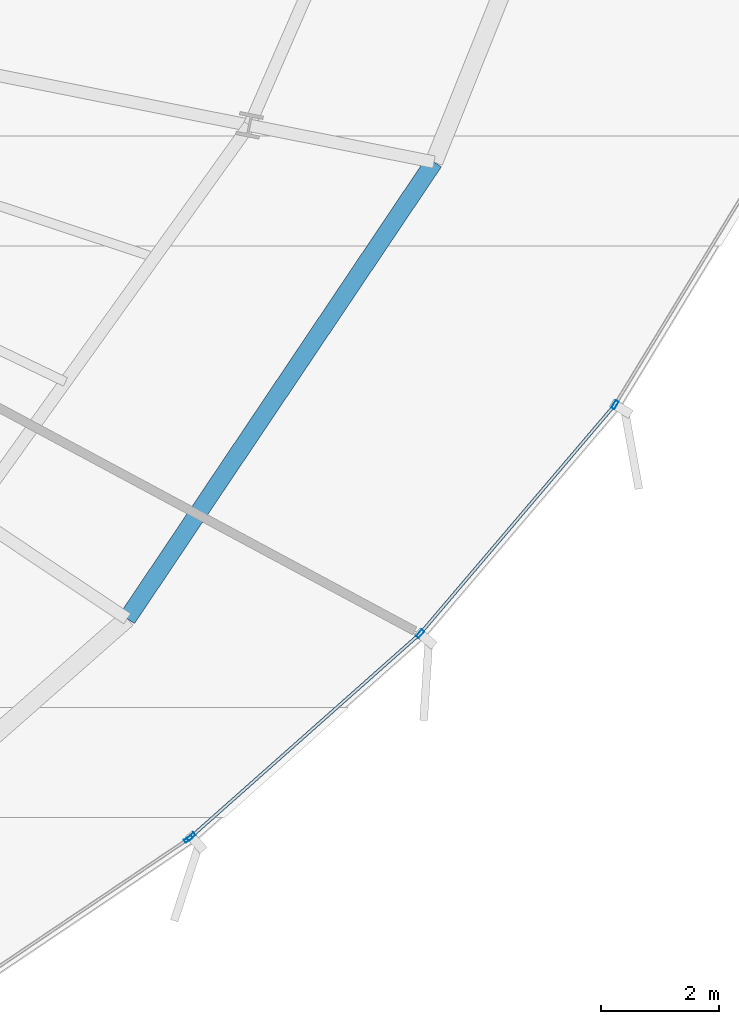
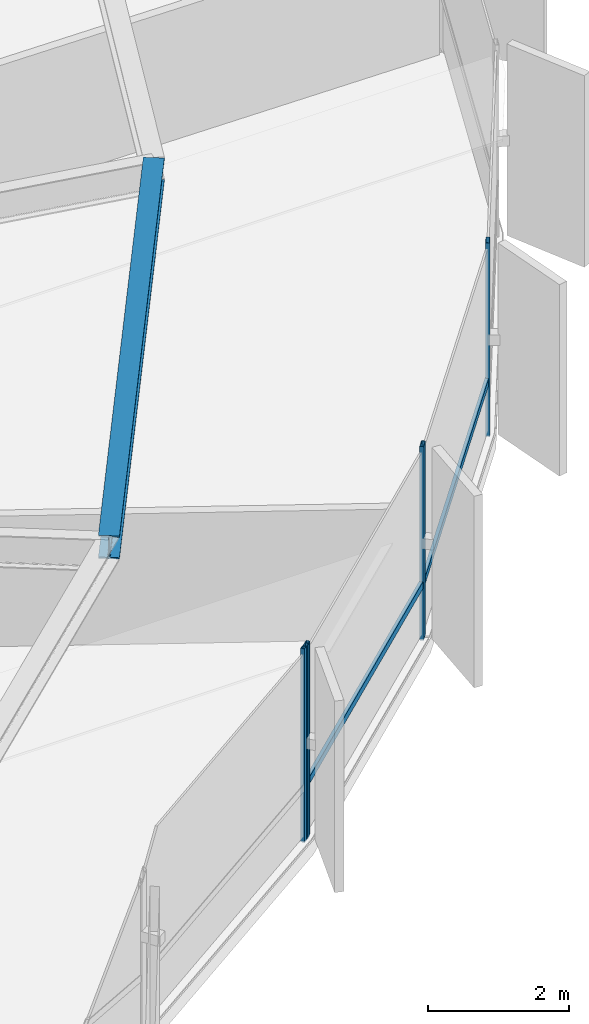
# One storey, part 13 of 35: 6 members, 1 beam, 2 elements without a shape of their own.
"""IFC4 building model written with IfcOpenShell, lengths in metres."""

from ifc_helpers import new_model, si_unit, direction, frame, origin, origin_2d, place, context, subcontext, project, spatial, hollow_rectangle, i_section, extrude, source, transform, mapped, material, layer, layer_set, material_profile, profile_set, type_object, element, aggregate, save


model = new_model("IFC4")

# Units and contexts
model_context = context("Model", 3, precision=1e-05, world=origin(), true_north=direction((0.0, 1.0)))
body_context = subcontext(model_context, "Body", "Model", "MODEL_VIEW")
ifc_project = project(units=[si_unit("LENGTHUNIT", "METRE"), si_unit("AREAUNIT", "SQUARE_METRE"), si_unit("VOLUMEUNIT", "CUBIC_METRE"), si_unit("PLANEANGLEUNIT", "RADIAN"), si_unit("MASSUNIT", "GRAM", prefix="KILO"), si_unit("THERMODYNAMICTEMPERATUREUNIT", "KELVIN")], contexts=[model_context])

# Site, building, storey
site_placement = place(None, origin())
site = spatial("IfcSite", under=ifc_project, at=site_placement, CompositionType="ELEMENT")
building_placement = place(site_placement, origin())
building = spatial("IfcBuilding", under=site, at=building_placement, Name="Kethvar Cultural Tower", CompositionType="ELEMENT")
storey_placement = place(building_placement, frame((0.0, 0.0, 92.800048828125)))
storey = spatial("IfcBuildingStorey", under=building, at=storey_placement, Name="L22", CompositionType="ELEMENT", Elevation=92.800048828125)

# Beam
ifc_material_1 = material(Name="Steel S355J2", Category="steel")
ifc_material_profile_1 = material_profile(ifc_material_1, i_section(OverallWidth=0.300048828125, OverallDepth=0.39990234375, WebThickness=0.013427734375, FlangeThickness=0.02392578125, FilletRadius=0.027099609375, at=origin_2d()), Name="Steel S355J2 — HEB400")
ifc_profile_set_1 = profile_set([ifc_material_profile_1], Name="Steel S355J2 — HEB400")
beam_type = type_object("IfcBeamType", Name="BM-SP400", PredefinedType="SPANDREL", material=ifc_profile_set_1)
shared_shape_1 = source(origin(), body_context, "Body", "SweptSolid", [
    extrude(i_section(OverallWidth=0.300048828125, OverallDepth=0.39990234375, WebThickness=0.013427734375, FlangeThickness=0.02392578125, FilletRadius=0.027099609375, at=origin_2d()), origin(), (0.0, 0.0, 1.0), 9.355224609375),
])
beam_placement = place(storey_placement, frame((65.559326171875, 15.265380859375, 3.14794921875), z_axis=(0.557731714622, 0.830021285573, 0.0), x_axis=(-0.830021285573, 0.557731714622, 0.0)))
element("IfcBeam", 1, at=beam_placement, inside=storey, type_object=beam_type, Name="L22 Perimeter Spandrel Beam SP-15", PredefinedType="SPANDREL", context=body_context, shape_type="MappedRepresentation", body=[
    mapped(shared_shape_1, transform((0.0, 0.0, 0.0), scale=1.0)),
])

# Curtain wall, member
ifc_material_2 = material(Name="Aluminium 6063-T6", Category="aluminium")
ifc_layer = layer(ifc_material_2, 0.179931640625, Name="Aluminium 6063-T6", Category="aluminium")
ifc_layer_set = layer_set([ifc_layer], Name="Aluminium 6063-T6 (180 mm)")
curtain_wall_type = type_object("IfcCurtainWallType", Name="CW-SYS-03-Z2", PredefinedType="NOTDEFINED", material=ifc_layer_set)
curtain_wall_1_placement = place(storey_placement, origin())
curtain_wall_1 = element("IfcCurtainWall", 2, at=curtain_wall_1_placement, inside=storey, type_object=curtain_wall_type, Name="L22 Curtain Wall Run 05", PredefinedType="NOTDEFINED")
ifc_material_profile_2 = material_profile(ifc_material_2, hollow_rectangle(XDim=0.06005859375, YDim=0.14990234375, WallThickness=0.0048828125, at=origin_2d()), Name="Aluminium 6063-T6 — RHS150x60x5")
ifc_profile_set_2 = profile_set([ifc_material_profile_2], Name="Aluminium 6063-T6 — RHS150x60x5")
member_type_1 = type_object("IfcMemberType", Name="CW-SYS-03-Z2-MUL", PredefinedType="MULLION", material=ifc_profile_set_2)
shared_shape_2 = source(origin(), body_context, "Body", "SweptSolid", [
    extrude(hollow_rectangle(XDim=0.06005859375, YDim=0.14990234375, WallThickness=0.0048828125, at=origin_2d()), origin(), (0.0, 0.0, 1.0), 3.349853515625),
])
member_1_placement = place(storey_placement, frame((66.60009765625, 11.521484375, 0.0), z_axis=(0.0, 0.0, 1.0), x_axis=(-0.558831114369, 0.829281487562, 0.0)))
member_1 = element("IfcMember", 3, at=member_1_placement, type_object=member_type_1, Name="CW-L22-R05 Mullion 7", PredefinedType="MULLION", context=body_context, shape_type="MappedRepresentation", body=[
    mapped(shared_shape_2, transform((0.0, 0.0, 0.0), scale=1.0)),
])
aggregate(curtain_wall_1, [member_1])

# Curtain wall, members
curtain_wall_2_placement = place(storey_placement, origin())
curtain_wall_2 = element("IfcCurtainWall", 4, at=curtain_wall_2_placement, inside=storey, type_object=curtain_wall_type, Name="L22 Curtain Wall Run 06", PredefinedType="NOTDEFINED")
member_2_placement = place(storey_placement, frame((66.649658203125, 11.559814453125, 0.0), z_axis=(0.0, 0.0, 1.0), x_axis=(-0.663573747399, 0.748110875313, 0.0)))
member_2 = element("IfcMember", 5, at=member_2_placement, type_object=member_type_1, Name="CW-L22-R06 Mullion 1", PredefinedType="MULLION", context=body_context, shape_type="MappedRepresentation", body=[
    mapped(shared_shape_2, transform((0.0, 0.0, 0.0), scale=1.0)),
])
member_3_placement = place(storey_placement, frame((70.54052734375, 15.009521484375, 0.0), z_axis=(0.0, 0.0, 1.0), x_axis=(-0.761651414199, 0.647986977684, 0.0)))
member_3 = element("IfcMember", 6, at=member_3_placement, type_object=member_type_1, Name="CW-L22-R06 Mullion 2", PredefinedType="MULLION", context=body_context, shape_type="MappedRepresentation", body=[
    mapped(shared_shape_2, transform((0.0, 0.0, 0.0), scale=1.0)),
])
member_4_placement = place(storey_placement, frame((73.854736328125, 18.90283203125, 0.0), z_axis=(0.0, 0.0, 1.0), x_axis=(-0.854068694819, 0.520160229669, 0.0)))
member_4 = element("IfcMember", 7, at=member_4_placement, type_object=member_type_1, Name="CW-L22-R06 Mullion 3", PredefinedType="MULLION", context=body_context, shape_type="MappedRepresentation", body=[
    mapped(shared_shape_2, transform((0.0, 0.0, 0.0), scale=1.0)),
])
ifc_material_profile_3 = material_profile(ifc_material_2, hollow_rectangle(XDim=0.054931640625, YDim=0.1201171875, WallThickness=0.00390625, at=origin_2d()), Name="Aluminium 6063-T6 — RHS120x55x4")
ifc_profile_set_3 = profile_set([ifc_material_profile_3], Name="Aluminium 6063-T6 — RHS120x55x4")
member_type_2 = type_object("IfcMemberType", Name="CW-SYS-03-Z2-TRN", PredefinedType="USERDEFINED", material=ifc_profile_set_3)
shared_shape_3 = source(origin(), body_context, "Body", "SweptSolid", [
    extrude(hollow_rectangle(XDim=0.054931640625, YDim=0.1201171875, WallThickness=0.00390625, at=origin_2d()), origin(), (0.0, 0.0, 1.0), 5.044677734375),
])
member_5_placement = place(storey_placement, frame((70.568603515625, 15.04248046875, 0.949951171875), z_axis=(0.647977088911, 0.761659827118, 0.0), x_axis=(-0.761659827118, 0.647977088911, 0.0)))
member_5 = element("IfcMember", 8, at=member_5_placement, type_object=member_type_2, Name="CW-L22-R06 Transom 2", ObjectType="TRANSOM", PredefinedType="USERDEFINED", context=body_context, shape_type="MappedRepresentation", body=[
    mapped(shared_shape_3, transform((0.0, 0.0, 0.0), scale=1.0)),
])
shared_shape_4 = source(origin(), body_context, "Body", "SweptSolid", [
    extrude(hollow_rectangle(XDim=0.054931640625, YDim=0.1201171875, WallThickness=0.00390625, at=origin_2d()), origin(), (0.0, 0.0, 1.0), 5.16845703125),
])
member_6_placement = place(storey_placement, frame((66.65283203125, 11.562744140625, 0.949951171875), z_axis=(0.748117753311, 0.663565993087, 0.0), x_axis=(-0.663565993087, 0.748117753311, 0.0)))
member_6 = element("IfcMember", 9, at=member_6_placement, type_object=member_type_2, Name="CW-L22-R06 Transom 1", ObjectType="TRANSOM", PredefinedType="USERDEFINED", context=body_context, shape_type="MappedRepresentation", body=[
    mapped(shared_shape_4, transform((0.0, 0.0, 0.0), scale=1.0)),
])
aggregate(curtain_wall_2, [member_2, member_3, member_4, member_6, member_5])

save(model, "model.ifc")
